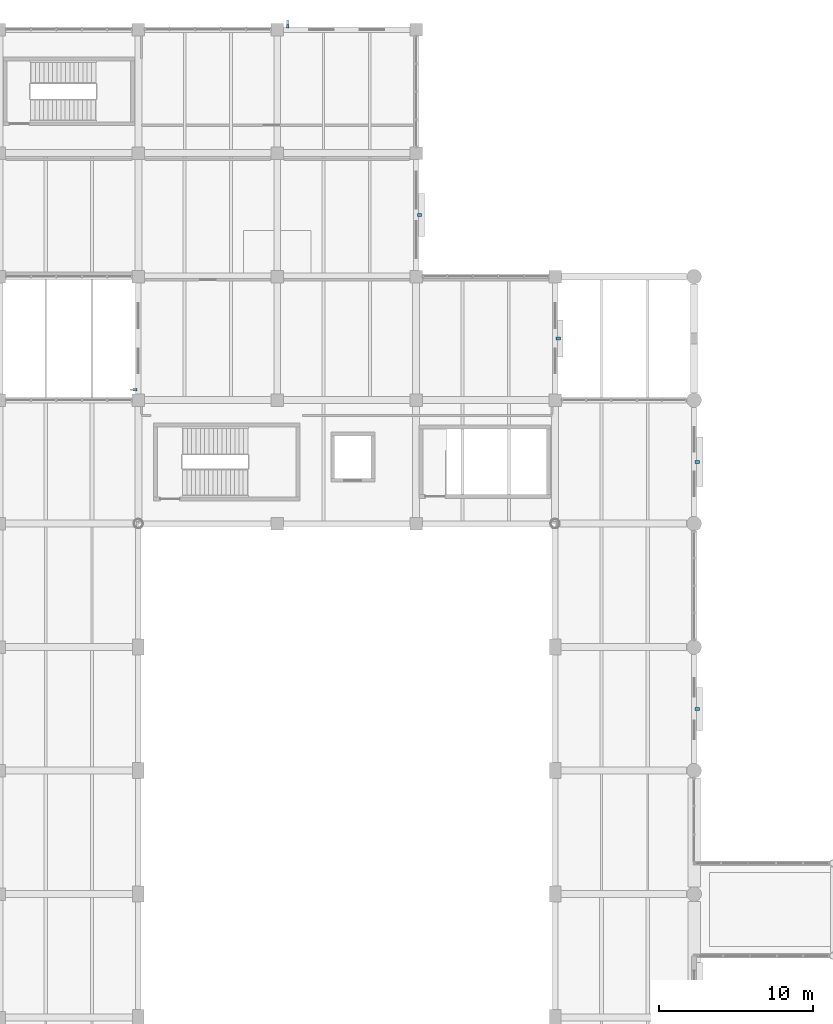
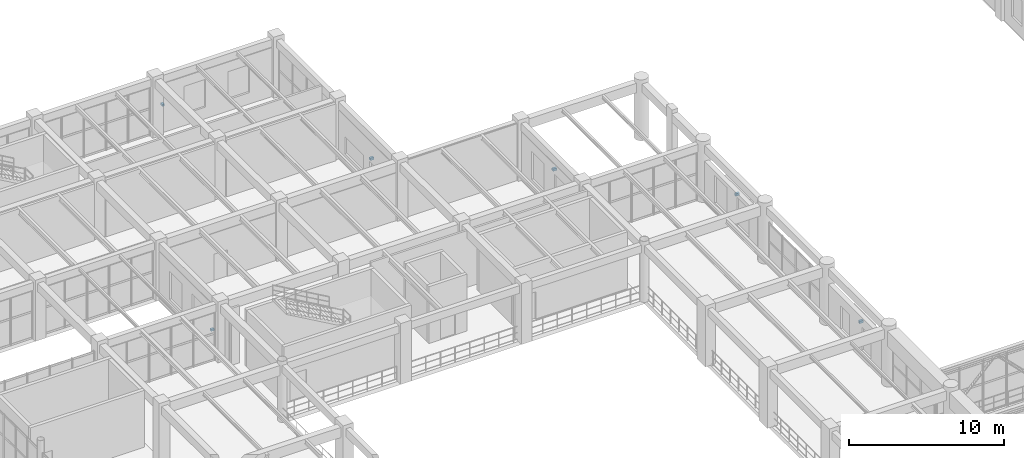
# One storey, part 165 of 178: 6 discrete accessories.
"""IFC4 building model written with IfcOpenShell, lengths in metres."""

from ifc_helpers import new_model, si_unit, derived_unit, direction, frame, origin, origin_2d, place, context, subcontext, project, spatial, rectangle, extrude, material, type_object, element, save


model = new_model("IFC4")

# Units and contexts
model_context = context("Model", 3, precision=1e-05, world=origin(), true_north=direction((0.0, 1.0)))
body_context = subcontext(model_context, "Body", "Model", "MODEL_VIEW")
ifc_project = project(units=[si_unit("LENGTHUNIT", "METRE"), si_unit("AREAUNIT", "SQUARE_METRE"), si_unit("VOLUMEUNIT", "CUBIC_METRE"), si_unit("PLANEANGLEUNIT", "RADIAN"), si_unit("MASSUNIT", "GRAM", prefix="KILO"), derived_unit("THERMALTRANSMITTANCEUNIT", [(si_unit("MASSUNIT", "GRAM", prefix="KILO"), 1), (si_unit("TIMEUNIT", "SECOND"), -3), (si_unit("THERMODYNAMICTEMPERATUREUNIT", "KELVIN"), -1)])], contexts=[model_context])

# Site, building, storey
site_placement = place(None, origin())
site = spatial("IfcSite", under=ifc_project, at=site_placement, CompositionType="ELEMENT")
building_placement = place(site_placement, origin())
building = spatial("IfcBuilding", under=site, at=building_placement, Name="Zhenchuan Archway Interchange", CompositionType="ELEMENT")
storey_placement = place(building_placement, frame((0.0, 0.0, 5.39990234375)))
storey = spatial("IfcBuildingStorey", under=building, at=storey_placement, Name="L01", CompositionType="ELEMENT", Elevation=5.39990234375)

# Discrete accessories
ifc_material = material(Name="Stainless Steel 316", Category="steel")
discrete_accessory_type_1 = type_object("IfcDiscreteAccessoryType", Name="BRK_SHD_1", PredefinedType="BRACKET", material=ifc_material)
for number, where, z_axis, x_axis, name in (
    (1, (35.7900390625, 88.677978515625, 1.85009765625), (0.0, 0.0, 1.0), (0.0, 1.0, 0.0), "Solar fin stainless fixing bracket L01-028"),
    (2, (45.677978515625, 112.2099609375, 1.85009765625), (0.0, 0.0, 1.0), (1.0, 0.0, 0.0), "Solar fin stainless fixing bracket L01-029"),
):
    element("IfcDiscreteAccessory", number, at=place(storey_placement, frame(where, z_axis=z_axis, x_axis=x_axis)), inside=storey, type_object=discrete_accessory_type_1, Name=name, PredefinedType="BRACKET", context=body_context, shape_type="SweptSolid", body=[
        extrude(rectangle(XDim=0.159912109375, YDim=0.239990234375, at=origin_2d()), origin(), (0.0, 0.0, 1.0), 0.159912109375),
    ])
discrete_accessory_type_2 = type_object("IfcDiscreteAccessoryType", Name="BRK_SHD_2", PredefinedType="BRACKET", material=ifc_material)
for number, where, z_axis, x_axis, name in (
    (3, (54.2099609375, 100.0, 2.01025390625), (0.0, 0.0, 1.0), (0.0, -1.0, 0.0), "Storm-louvre stainless fixing bracket L01-030"),
    (4, (63.2099609375, 92.0, 2.8603515625), (0.0, 0.0, 1.0), (0.0, -1.0, 0.0), "Storm-louvre stainless fixing bracket L01-031"),
    (5, (72.2099609375, 84.0, 2.59521484375), (0.0, 0.0, 1.0), (0.0, -1.0, 0.0), "Storm-louvre stainless fixing bracket L01-032"),
    (6, (72.2099609375, 68.0, 2.26025390625), (0.0, 0.0, 1.0), (0.0, -1.0, 0.0), "Storm-louvre stainless fixing bracket L01-033"),
):
    element("IfcDiscreteAccessory", number, at=place(storey_placement, frame(where, z_axis=z_axis, x_axis=x_axis)), inside=storey, type_object=discrete_accessory_type_2, Name=name, PredefinedType="BRACKET", context=body_context, shape_type="SweptSolid", body=[
        extrude(rectangle(XDim=0.179931640625, YDim=0.280029296875, at=origin_2d()), origin(), (0.0, 0.0, 1.0), 0.179931640625),
    ])

save(model, "model.ifc")
